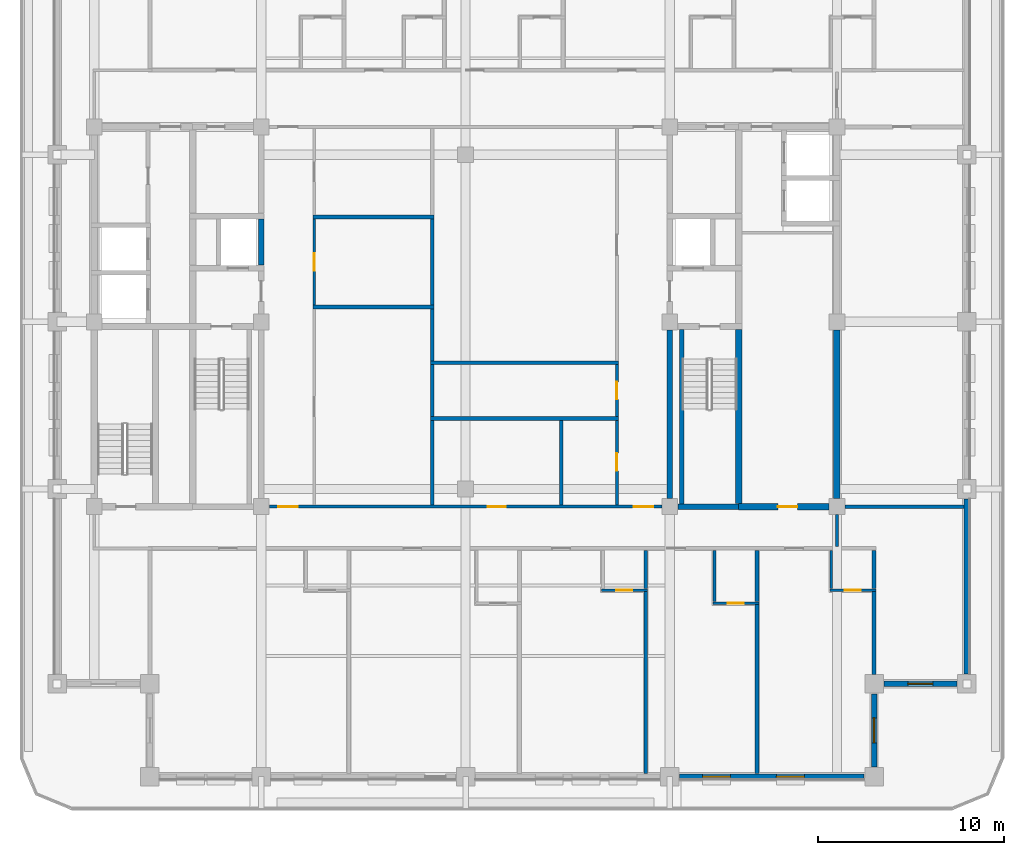
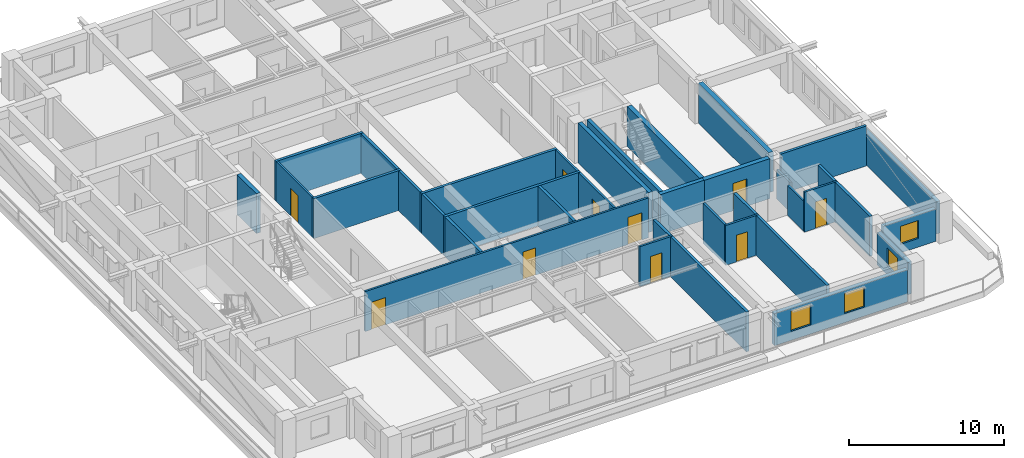
# One storey, part 4 of 14: 37 walls, 10 doors, 4 windows, 14 openings.
"""IFC4 building model written with IfcOpenShell, lengths in metres."""

from ifc_helpers import new_model, si_unit, direction, frame, frame_2d, origin, place, context, subcontext, project, spatial, rectangle, extrude, material, layer, layer_set, type_object, element, fill, save


model = new_model("IFC4")

# Units and contexts
model_context = context("Model", 3, precision=1e-05, world=origin(), true_north=direction((0.0, 1.0)))
body_context = subcontext(model_context, "Body", "Model", "MODEL_VIEW")
ifc_project = project(units=[si_unit("LENGTHUNIT", "METRE"), si_unit("AREAUNIT", "SQUARE_METRE"), si_unit("VOLUMEUNIT", "CUBIC_METRE"), si_unit("PLANEANGLEUNIT", "RADIAN"), si_unit("MASSUNIT", "GRAM", prefix="KILO")], contexts=[model_context])

# Site, building, storey
site_placement = place(None, origin())
site = spatial("IfcSite", under=ifc_project, at=site_placement, CompositionType="ELEMENT")
building_placement = place(site_placement, origin())
building = spatial("IfcBuilding", under=site, at=building_placement, Name="Zulmaris Gate Convention Tower", CompositionType="ELEMENT")
storey_placement = place(building_placement, frame((0.0, 0.0, 179.659912109375)))
storey = spatial("IfcBuildingStorey", under=building, at=storey_placement, Name="L46", CompositionType="ELEMENT", Elevation=179.659912109375)

# Walls
ifc_material_1 = material(Name="Concrete C50/60", Category="concrete")
ifc_layer_1 = layer(ifc_material_1, 0.25, Name="Concrete C50/60")
ifc_layer_set_1 = layer_set([ifc_layer_1], Name="Concrete C50/60")
wall_type_1 = type_object("IfcWallType", Name="CORE-250", PredefinedType="SOLIDWALL", material=ifc_layer_set_1)
wall_1_placement = place(storey_placement, frame((11.64990234375, -9.798095703125, 0.0), z_axis=(0.0, 0.0, 1.0), x_axis=(0.0, 1.0, 0.0)))
element("IfcWall", 1, at=wall_1_placement, inside=storey, type_object=wall_type_1, Name="WL-L46-064", PredefinedType="SOLIDWALL", context=body_context, shape_type="SweptSolid", body=[
    extrude(rectangle(XDim=9.39599609375, YDim=0.25, at=frame_2d((4.697998046875, 0.0))), origin(), (0.0, 0.0, 1.0), 3.14990234375),
])
ifc_layer_2 = layer(ifc_material_1, 0.300048828125, Name="Concrete C50/60")
ifc_layer_set_2 = layer_set([ifc_layer_2], Name="Concrete C50/60")
wall_type_2 = type_object("IfcWallType", Name="CORE-300", PredefinedType="SHEAR", material=ifc_layer_set_2)
wall_2_placement = place(storey_placement, frame((11.428955078125, -9.949951171875, 0.0), z_axis=(0.0, 0.0, 1.0), x_axis=(1.0, 0.0, 0.0)))
element("IfcWall", 2, at=wall_2_placement, inside=storey, type_object=wall_type_2, Name="WL-L46-003", PredefinedType="SHEAR", context=body_context, shape_type="SweptSolid", body=[
    extrude(rectangle(XDim=3.27099609375, YDim=0.300048828125, at=frame_2d((1.635498046875, 0.0))), origin(), (0.0, 0.0, 1.0), 3.14990234375),
])
wall_3_placement = place(storey_placement, frame((-11.0, 3.052001953125, 0.0), z_axis=(0.0, 0.0, 1.0), x_axis=(0.0, 1.0, 0.0)))
element("IfcWall", 3, at=wall_3_placement, inside=storey, type_object=wall_type_2, Name="WL-L46-058", PredefinedType="SHEAR", context=body_context, shape_type="SweptSolid", body=[
    extrude(rectangle(XDim=2.49609375, YDim=0.300048828125, at=frame_2d((1.248046875, 0.0))), origin(), (0.0, 0.0, 1.0), 3.14990234375),
])
wall_4_placement = place(storey_placement, frame((11.0, -9.52099609375, 0.0), z_axis=(0.0, 0.0, 1.0), x_axis=(0.0, 1.0, 0.0)))
element("IfcWall", 4, at=wall_4_placement, inside=storey, type_object=wall_type_2, Name="WL-L46-060", PredefinedType="SHEAR", context=body_context, shape_type="SweptSolid", body=[
    extrude(rectangle(XDim=9.092041015625, YDim=0.300048828125, at=frame_2d((4.5458984375, 0.0))), origin(), (0.0, 0.0, 1.0), 3.14990234375),
])

# Wall, opening, door
ifc_material_2 = material(Name="Concrete C55/67", Category="concrete")
ifc_layer_3 = layer(ifc_material_2, 0.35009765625, Name="Concrete C55/67")
ifc_layer_set_3 = layer_set([ifc_layer_3], Name="Concrete C55/67")
wall_type_3 = type_object("IfcWallType", Name="CORE-350", PredefinedType="SHEAR", material=ifc_layer_set_3)
wall_5_placement = place(storey_placement, frame((14.699951171875, -9.949951171875, 0.0), z_axis=(0.0, 0.0, 1.0), x_axis=(1.0, 0.0, 0.0)))
wall_5 = element("IfcWall", 5, at=wall_5_placement, inside=storey, type_object=wall_type_3, Name="WL-L46-004", PredefinedType="SHEAR", context=body_context, shape_type="SweptSolid", body=[
    extrude(rectangle(XDim=4.87109375, YDim=0.35009765625, at=frame_2d((2.435546875, 0.0))), origin(), (0.0, 0.0, 1.0), 3.14990234375),
])
opening_1_placement = place(wall_5_placement, frame((2.125, 0.0, 0.0)))
opening_1 = element("IfcOpeningElement", 6, at=opening_1_placement, cuts=wall_5, Name="Opening D-09", PredefinedType="OPENING", context=body_context, shape_type="SweptSolid", body=[
    extrude(rectangle(XDim=1.050048828125, YDim=2.14990234375, at=frame_2d((0.52490234375, 1.074951171875))), frame((0.0, 0.18505859375, 0.0), z_axis=(0.0, -1.0, 0.0), x_axis=(1.0, 0.0, 0.0)), (0.0, 0.0, 1.0), 0.3701171875),
])
ifc_material_3 = material(Name="Fire-Rated Steel", Category="steel")
door_type_1 = type_object("IfcDoorType", Name="DR-1050-FD", OperationType="NOTDEFINED", PredefinedType="DOOR", material=ifc_material_3)
door_1_placement = place(opening_1_placement, origin())
door_1 = element("IfcDoor", 7, at=door_1_placement, inside=storey, type_object=door_type_1, Name="L46 Housekeeping Hall Door 17", OperationType="SINGLE_SWING_RIGHT", OverallHeight=2.14990234375, OverallWidth=1.050048828125, PredefinedType="DOOR", context=body_context, shape_type="SweptSolid", body=[
    extrude(rectangle(XDim=1.050048828125, YDim=2.14990234375, at=frame_2d((0.52490234375, 1.074951171875))), frame((0.0, 0.02490234375, 0.0), z_axis=(0.0, -1.0, 0.0), x_axis=(1.0, 0.0, 0.0)), (0.0, 0.0, 1.0), 0.050048828125),
])
fill(opening_1, door_1)

# Walls
wall_6_placement = place(storey_placement, frame((14.699951171875, -9.77294921875, 0.0), z_axis=(0.0, 0.0, 1.0), x_axis=(0.0, 1.0, 0.0)))
element("IfcWall", 8, at=wall_6_placement, inside=storey, type_object=wall_type_3, Name="WL-L46-066", PredefinedType="SHEAR", context=body_context, shape_type="SweptSolid", body=[
    extrude(rectangle(XDim=9.370849609375, YDim=0.35009765625, at=frame_2d((4.685546875, 0.0))), origin(), (0.0, 0.0, 1.0), 3.14990234375),
])
wall_7_placement = place(storey_placement, frame((20.0, -9.52099609375, 0.0), z_axis=(0.0, 0.0, 1.0), x_axis=(0.0, 1.0, 0.0)))
element("IfcWall", 9, at=wall_7_placement, inside=storey, type_object=wall_type_3, Name="WL-L46-072", PredefinedType="SHEAR", context=body_context, shape_type="SweptSolid", body=[
    extrude(rectangle(XDim=9.092041015625, YDim=0.35009765625, at=frame_2d((4.5458984375, 0.0))), origin(), (0.0, 0.0, 1.0), 3.14990234375),
])

# Wall, opening, door
ifc_material_4 = material(Name="Gypsum Metal Stud Partition")
ifc_layer_4 = layer(ifc_material_4, 0.14990234375, Name="Gypsum Metal Stud Partition")
ifc_layer_set_4 = layer_set([ifc_layer_4], Name="Gypsum Metal Stud Partition")
wall_type_4 = type_object("IfcWallType", Name="PART-150", PredefinedType="PARTITIONING", material=ifc_layer_set_4)
wall_8_placement = place(storey_placement, frame((13.324951171875, -15.14990234375, 0.0), z_axis=(0.0, 0.0, 1.0), x_axis=(1.0, 0.0, 0.0)))
wall_8 = element("IfcWall", 10, at=wall_8_placement, inside=storey, type_object=wall_type_4, Name="WL-L46-020", PredefinedType="PARTITIONING", context=body_context, shape_type="SweptSolid", body=[
    extrude(rectangle(XDim=2.47509765625, YDim=0.14990234375, at=frame_2d((1.237548828125, 0.0))), origin(), (0.0, 0.0, 1.0), 3.14990234375),
])
opening_2_placement = place(wall_8_placement, frame((0.800048828125, 0.0, 0.0)))
opening_2 = element("IfcOpeningElement", 11, at=opening_2_placement, cuts=wall_8, Name="Opening D-17", PredefinedType="OPENING", context=body_context, shape_type="SweptSolid", body=[
    extrude(rectangle(XDim=0.85009765625, YDim=2.10009765625, at=frame_2d((0.425048828125, 1.050048828125))), frame((0.0, 0.0849609375, 0.0), z_axis=(0.0, -1.0, 0.0), x_axis=(1.0, 0.0, 0.0)), (0.0, 0.0, 1.0), 0.169921875),
])
ifc_material_5 = material(Name="Moisture-Resistant Hardwood Timber", Category="wood")
door_type_2 = type_object("IfcDoorType", Name="DR-850", OperationType="NOTDEFINED", PredefinedType="DOOR", material=ifc_material_5)
door_2_placement = place(opening_2_placement, origin())
door_2 = element("IfcDoor", 12, at=door_2_placement, inside=storey, type_object=door_type_2, Name="L46 En-Suite Door 39", OperationType="SINGLE_SWING_RIGHT", OverallHeight=2.10009765625, OverallWidth=0.85009765625, PredefinedType="DOOR", context=body_context, shape_type="SweptSolid", body=[
    extrude(rectangle(XDim=0.85009765625, YDim=2.10009765625, at=frame_2d((0.425048828125, 1.050048828125))), frame((0.0, 0.02490234375, 0.0), z_axis=(0.0, -1.0, 0.0), x_axis=(1.0, 0.0, 0.0)), (0.0, 0.0, 1.0), 0.050048828125),
])
fill(opening_2, door_2)

wall_9_placement = place(storey_placement, frame((7.324951171875, -14.449951171875, 0.0), z_axis=(0.0, 0.0, 1.0), x_axis=(1.0, 0.0, 0.0)))
wall_9 = element("IfcWall", 13, at=wall_9_placement, inside=storey, type_object=wall_type_4, Name="WL-L46-022", PredefinedType="PARTITIONING", context=body_context, shape_type="SweptSolid", body=[
    extrude(rectangle(XDim=2.47509765625, YDim=0.14990234375, at=frame_2d((1.237548828125, 0.0))), origin(), (0.0, 0.0, 1.0), 3.14990234375),
])
opening_3_placement = place(wall_9_placement, frame((0.800048828125, 0.0, 0.0)))
opening_3 = element("IfcOpeningElement", 14, at=opening_3_placement, cuts=wall_9, Name="Opening D-17", PredefinedType="OPENING", context=body_context, shape_type="SweptSolid", body=[
    extrude(rectangle(XDim=0.85009765625, YDim=2.10009765625, at=frame_2d((0.425048828125, 1.050048828125))), frame((0.0, 0.0849609375, 0.0), z_axis=(0.0, -1.0, 0.0), x_axis=(1.0, 0.0, 0.0)), (0.0, 0.0, 1.0), 0.169921875),
])
door_3_placement = place(opening_3_placement, origin())
door_3 = element("IfcDoor", 15, at=door_3_placement, inside=storey, type_object=door_type_2, Name="L46 En-Suite Door 37", OperationType="SINGLE_SWING_RIGHT", OverallHeight=2.10009765625, OverallWidth=0.85009765625, PredefinedType="DOOR", context=body_context, shape_type="SweptSolid", body=[
    extrude(rectangle(XDim=0.85009765625, YDim=2.10009765625, at=frame_2d((0.425048828125, 1.050048828125))), frame((0.0, 0.02490234375, 0.0), z_axis=(0.0, -1.0, 0.0), x_axis=(1.0, 0.0, 0.0)), (0.0, 0.0, 1.0), 0.050048828125),
])
fill(opening_3, door_3)

wall_10_placement = place(storey_placement, frame((19.625, -14.449951171875, 0.0), z_axis=(0.0, 0.0, 1.0), x_axis=(1.0, 0.0, 0.0)))
wall_10 = element("IfcWall", 16, at=wall_10_placement, inside=storey, type_object=wall_type_4, Name="WL-L46-023", PredefinedType="PARTITIONING", context=body_context, shape_type="SweptSolid", body=[
    extrude(rectangle(XDim=2.47509765625, YDim=0.14990234375, at=frame_2d((1.237548828125, 0.0))), origin(), (0.0, 0.0, 1.0), 3.14990234375),
])
opening_4_placement = place(wall_10_placement, frame((0.800048828125, 0.0, 0.0)))
opening_4 = element("IfcOpeningElement", 17, at=opening_4_placement, cuts=wall_10, Name="Opening D-17", PredefinedType="OPENING", context=body_context, shape_type="SweptSolid", body=[
    extrude(rectangle(XDim=0.85009765625, YDim=2.10009765625, at=frame_2d((0.425048828125, 1.050048828125))), frame((0.0, 0.0849609375, 0.0), z_axis=(0.0, -1.0, 0.0), x_axis=(1.0, 0.0, 0.0)), (0.0, 0.0, 1.0), 0.169921875),
])
door_4_placement = place(opening_4_placement, origin())
door_4 = element("IfcDoor", 18, at=door_4_placement, inside=storey, type_object=door_type_2, Name="L46 En-Suite Door 41", OperationType="SINGLE_SWING_RIGHT", OverallHeight=2.10009765625, OverallWidth=0.85009765625, PredefinedType="DOOR", context=body_context, shape_type="SweptSolid", body=[
    extrude(rectangle(XDim=0.85009765625, YDim=2.10009765625, at=frame_2d((0.425048828125, 1.050048828125))), frame((0.0, 0.02490234375, 0.0), z_axis=(0.0, -1.0, 0.0), x_axis=(1.0, 0.0, 0.0)), (0.0, 0.0, 1.0), 0.050048828125),
])
fill(opening_4, door_4)

# Wall, openings, doors
wall_11_placement = place(storey_placement, frame((-10.569091796875, -9.949951171875, 0.0), z_axis=(0.0, 0.0, 1.0), x_axis=(1.0, 0.0, 0.0)))
wall_11 = element("IfcWall", 19, at=wall_11_placement, inside=storey, type_object=wall_type_4, Name="WL-L46-026", PredefinedType="PARTITIONING", context=body_context, shape_type="SweptSolid", body=[
    extrude(rectangle(XDim=21.13818359375, YDim=0.14990234375, at=frame_2d((10.569091796875, 0.0))), origin(), (0.0, 0.0, 1.0), 3.14990234375),
])
opening_5_placement = place(wall_11_placement, frame((0.47412109375, 0.0, 0.0)))
opening_5 = element("IfcOpeningElement", 20, at=opening_5_placement, cuts=wall_11, Name="Opening D-09", PredefinedType="OPENING", context=body_context, shape_type="SweptSolid", body=[
    extrude(rectangle(XDim=1.050048828125, YDim=2.14990234375, at=frame_2d((0.52490234375, 1.074951171875))), frame((0.0, 0.0849609375, 0.0), z_axis=(0.0, -1.0, 0.0), x_axis=(1.0, 0.0, 0.0)), (0.0, 0.0, 1.0), 0.169921875),
])
opening_6_placement = place(wall_11_placement, frame((19.614013671875, 0.0, 0.0)))
opening_6 = element("IfcOpeningElement", 21, at=opening_6_placement, cuts=wall_11, Name="Opening D-09", PredefinedType="OPENING", context=body_context, shape_type="SweptSolid", body=[
    extrude(rectangle(XDim=1.050048828125, YDim=2.14990234375, at=frame_2d((0.52490234375, 1.074951171875))), frame((0.0, 0.0849609375, 0.0), z_axis=(0.0, -1.0, 0.0), x_axis=(1.0, 0.0, 0.0)), (0.0, 0.0, 1.0), 0.169921875),
])
opening_7_placement = place(wall_11_placement, frame((11.77392578125, 0.0, 0.0)))
opening_7 = element("IfcOpeningElement", 22, at=opening_7_placement, cuts=wall_11, Name="Opening D-11", PredefinedType="OPENING", context=body_context, shape_type="SweptSolid", body=[
    extrude(rectangle(XDim=0.949951171875, YDim=2.14990234375, at=frame_2d((0.47509765625, 1.074951171875))), frame((0.0, 0.0849609375, 0.0), z_axis=(0.0, -1.0, 0.0), x_axis=(1.0, 0.0, 0.0)), (0.0, 0.0, 1.0), 0.169921875),
])
door_5_placement = place(opening_5_placement, origin())
door_5 = element("IfcDoor", 23, at=door_5_placement, inside=storey, type_object=door_type_1, Name="L46 SW Hotel Loop Door 19", OperationType="SINGLE_SWING_RIGHT", OverallHeight=2.14990234375, OverallWidth=1.050048828125, PredefinedType="DOOR", context=body_context, shape_type="SweptSolid", body=[
    extrude(rectangle(XDim=1.050048828125, YDim=2.14990234375, at=frame_2d((0.52490234375, 1.074951171875))), frame((0.0, 0.02490234375, 0.0), z_axis=(0.0, -1.0, 0.0), x_axis=(1.0, 0.0, 0.0)), (0.0, 0.0, 1.0), 0.050048828125),
])
fill(opening_5, door_5)
door_6_placement = place(opening_6_placement, origin())
door_6 = element("IfcDoor", 24, at=door_6_placement, inside=storey, type_object=door_type_1, Name="L46 SE Hotel Loop Door 21", OperationType="SINGLE_SWING_RIGHT", OverallHeight=2.14990234375, OverallWidth=1.050048828125, PredefinedType="DOOR", context=body_context, shape_type="SweptSolid", body=[
    extrude(rectangle(XDim=1.050048828125, YDim=2.14990234375, at=frame_2d((0.52490234375, 1.074951171875))), frame((0.0, 0.02490234375, 0.0), z_axis=(0.0, -1.0, 0.0), x_axis=(1.0, 0.0, 0.0)), (0.0, 0.0, 1.0), 0.050048828125),
])
fill(opening_6, door_6)
ifc_material_6 = material(Name="Fire-Rated Timber", Category="wood")
door_type_3 = type_object("IfcDoorType", Name="DR-950-FD", OperationType="NOTDEFINED", PredefinedType="DOOR", material=ifc_material_6)
door_7_placement = place(opening_7_placement, origin())
door_7 = element("IfcDoor", 25, at=door_7_placement, inside=storey, type_object=door_type_3, Name="L46 Staging Store Door 48", OperationType="SINGLE_SWING_LEFT", OverallHeight=2.14990234375, OverallWidth=0.949951171875, PredefinedType="DOOR", context=body_context, shape_type="SweptSolid", body=[
    extrude(rectangle(XDim=0.949951171875, YDim=2.14990234375, at=frame_2d((0.47509765625, 1.074951171875))), frame((0.0, 0.02490234375, 0.0), z_axis=(0.0, -1.0, 0.0), x_axis=(1.0, 0.0, 0.0)), (0.0, 0.0, 1.0), 0.050048828125),
])
fill(opening_7, door_7)

# Wall, opening, door
wall_12_placement = place(storey_placement, frame((-8.14990234375, 0.903076171875, 0.0), z_axis=(0.0, 0.0, 1.0), x_axis=(0.0, 1.0, 0.0)))
wall_12 = element("IfcWall", 26, at=wall_12_placement, inside=storey, type_object=wall_type_4, Name="WL-L46-083", PredefinedType="PARTITIONING", context=body_context, shape_type="SweptSolid", body=[
    extrude(rectangle(XDim=4.64404296875, YDim=0.14990234375, at=frame_2d((2.322021484375, 0.0))), origin(), (0.0, 0.0, 1.0), 3.14990234375),
])
opening_8_placement = place(wall_12_placement, frame((1.85205078125, 0.0, 0.0)))
opening_8 = element("IfcOpeningElement", 27, at=opening_8_placement, cuts=wall_12, Name="Opening D-11", PredefinedType="OPENING", context=body_context, shape_type="SweptSolid", body=[
    extrude(rectangle(XDim=0.949951171875, YDim=2.14990234375, at=frame_2d((0.47509765625, 1.074951171875))), frame((0.0, 0.0849609375, 0.0), z_axis=(0.0, -1.0, 0.0), x_axis=(1.0, 0.0, 0.0)), (0.0, 0.0, 1.0), 0.169921875),
])
door_8_placement = place(opening_8_placement, origin())
door_8 = element("IfcDoor", 28, at=door_8_placement, inside=storey, type_object=door_type_3, Name="L46 Tea Salon Door 43", OperationType="SINGLE_SWING_RIGHT", OverallHeight=2.14990234375, OverallWidth=0.949951171875, PredefinedType="DOOR", context=body_context, shape_type="SweptSolid", body=[
    extrude(rectangle(XDim=0.949951171875, YDim=2.14990234375, at=frame_2d((0.47509765625, 1.074951171875))), frame((0.0, 0.02490234375, 0.0), z_axis=(0.0, -1.0, 0.0), x_axis=(1.0, 0.0, 0.0)), (0.0, 0.0, 1.0), 0.050048828125),
])
fill(opening_8, door_8)

wall_13_placement = place(storey_placement, frame((8.14990234375, -9.8720703125, 0.0), z_axis=(0.0, 0.0, 1.0), x_axis=(0.0, 1.0, 0.0)))
wall_13 = element("IfcWall", 29, at=wall_13_placement, inside=storey, type_object=wall_type_4, Name="WL-L46-105", PredefinedType="PARTITIONING", context=body_context, shape_type="SweptSolid", body=[
    extrude(rectangle(XDim=4.569091796875, YDim=0.14990234375, at=frame_2d((2.28466796875, 0.0))), origin(), (0.0, 0.0, 1.0), 3.14990234375),
])
opening_9_placement = place(wall_13_placement, frame((1.846923828125, 0.0, 0.0)))
opening_9 = element("IfcOpeningElement", 30, at=opening_9_placement, cuts=wall_13, Name="Opening D-11", PredefinedType="OPENING", context=body_context, shape_type="SweptSolid", body=[
    extrude(rectangle(XDim=0.949951171875, YDim=2.14990234375, at=frame_2d((0.47509765625, 1.074951171875))), frame((0.0, 0.0849609375, 0.0), z_axis=(0.0, -1.0, 0.0), x_axis=(1.0, 0.0, 0.0)), (0.0, 0.0, 1.0), 0.169921875),
])
door_9_placement = place(opening_9_placement, origin())
door_9 = element("IfcDoor", 31, at=door_9_placement, inside=storey, type_object=door_type_3, Name="L46 Accessible WC Door 47", OperationType="SINGLE_SWING_RIGHT", OverallHeight=2.14990234375, OverallWidth=0.949951171875, PredefinedType="DOOR", context=body_context, shape_type="SweptSolid", body=[
    extrude(rectangle(XDim=0.949951171875, YDim=2.14990234375, at=frame_2d((0.47509765625, 1.074951171875))), frame((0.0, 0.02490234375, 0.0), z_axis=(0.0, -1.0, 0.0), x_axis=(1.0, 0.0, 0.0)), (0.0, 0.0, 1.0), 0.050048828125),
])
fill(opening_9, door_9)

wall_14_placement = place(storey_placement, frame((8.14990234375, -5.096923828125, 0.0), z_axis=(0.0, 0.0, 1.0), x_axis=(0.0, 1.0, 0.0)))
wall_14 = element("IfcWall", 32, at=wall_14_placement, inside=storey, type_object=wall_type_4, Name="WL-L46-106", PredefinedType="PARTITIONING", context=body_context, shape_type="SweptSolid", body=[
    extrude(rectangle(XDim=2.7939453125, YDim=0.14990234375, at=frame_2d((1.39697265625, 0.0))), origin(), (0.0, 0.0, 1.0), 3.14990234375),
])
opening_10_placement = place(wall_14_placement, frame((0.922119140625, 0.0, 0.0)))
opening_10 = element("IfcOpeningElement", 33, at=opening_10_placement, cuts=wall_14, Name="Opening D-11", PredefinedType="OPENING", context=body_context, shape_type="SweptSolid", body=[
    extrude(rectangle(XDim=0.949951171875, YDim=2.14990234375, at=frame_2d((0.47509765625, 1.074951171875))), frame((0.0, 0.0849609375, 0.0), z_axis=(0.0, -1.0, 0.0), x_axis=(1.0, 0.0, 0.0)), (0.0, 0.0, 1.0), 0.169921875),
])
door_10_placement = place(opening_10_placement, origin())
door_10 = element("IfcDoor", 34, at=door_10_placement, inside=storey, type_object=door_type_3, Name="L46 Public WC Door 46", OperationType="SINGLE_SWING_LEFT", OverallHeight=2.14990234375, OverallWidth=0.949951171875, PredefinedType="DOOR", context=body_context, shape_type="SweptSolid", body=[
    extrude(rectangle(XDim=0.949951171875, YDim=2.14990234375, at=frame_2d((0.47509765625, 1.074951171875))), frame((0.0, 0.02490234375, 0.0), z_axis=(0.0, -1.0, 0.0), x_axis=(1.0, 0.0, 0.0)), (0.0, 0.0, 1.0), 0.050048828125),
])
fill(opening_10, door_10)

# Walls
wall_15_placement = place(storey_placement, frame((13.39990234375, -15.072021484375, 0.0), z_axis=(0.0, 0.0, 1.0), x_axis=(0.0, 1.0, 0.0)))
element("IfcWall", 35, at=wall_15_placement, inside=storey, type_object=wall_type_4, Name="WL-L46-111", PredefinedType="PARTITIONING", context=body_context, shape_type="SweptSolid", body=[
    extrude(rectangle(XDim=2.76904296875, YDim=0.14990234375, at=frame_2d((1.384521484375, 0.0))), origin(), (0.0, 0.0, 1.0), 3.14990234375),
])
wall_16_placement = place(storey_placement, frame((19.699951171875, -14.3720703125, 0.0), z_axis=(0.0, 0.0, 1.0), x_axis=(0.0, 1.0, 0.0)))
element("IfcWall", 36, at=wall_16_placement, inside=storey, type_object=wall_type_4, Name="WL-L46-116", PredefinedType="PARTITIONING", context=body_context, shape_type="SweptSolid", body=[
    extrude(rectangle(XDim=2.069091796875, YDim=0.14990234375, at=frame_2d((1.03466796875, 0.0))), origin(), (0.0, 0.0, 1.0), 2.341796875),
])
wall_17_placement = place(storey_placement, frame((20.0, -12.096923828125, 0.0), z_axis=(0.0, 0.0, 1.0), x_axis=(0.0, 1.0, 0.0)))
element("IfcWall", 37, at=wall_17_placement, inside=storey, type_object=wall_type_4, Name="WL-L46-118", PredefinedType="PARTITIONING", context=body_context, shape_type="SweptSolid", body=[
    extrude(rectangle(XDim=1.7158203125, YDim=0.14990234375, at=frame_2d((0.85791015625, 0.0))), origin(), (0.0, 0.0, 1.0), 2.341796875),
])
ifc_material_7 = material(Name="Autoclaved Aerated Concrete Block and Plasterboard", Category="concrete")
ifc_layer_5 = layer(ifc_material_7, 0.199951171875, Name="Autoclaved Aerated Concrete Block and Plasterboard")
ifc_layer_set_5 = layer_set([ifc_layer_5], Name="Autoclaved Aerated Concrete Block and Plasterboard")
wall_type_5 = type_object("IfcWallType", Name="PART-200", PredefinedType="PARTITIONING", material=ifc_layer_set_5)
wall_18_placement = place(storey_placement, frame((20.430908203125, -9.949951171875, 0.0), z_axis=(0.0, 0.0, 1.0), x_axis=(1.0, 0.0, 0.0)))
element("IfcWall", 38, at=wall_18_placement, inside=storey, type_object=wall_type_5, Name="WL-L46-027", PredefinedType="PARTITIONING", context=body_context, shape_type="SweptSolid", body=[
    extrude(rectangle(XDim=6.404052734375, YDim=0.199951171875, at=frame_2d((3.2021484375, 0.0))), origin(), (0.0, 0.0, 1.0), 3.14990234375),
])
for number, where, z_axis, x_axis, name in (
    (39, (-1.89990234375, -5.199951171875, 0.0), (0.0, 0.0, 1.0), (1.0, 0.0, 0.0), "WL-L46-028"),
    (40, (-1.89990234375, -2.199951171875, 0.0), (0.0, 0.0, 1.0), (1.0, 0.0, 0.0), "WL-L46-029"),
):
    element("IfcWall", number, at=place(storey_placement, frame(where, z_axis=z_axis, x_axis=x_axis)), inside=storey, type_object=wall_type_5, Name=name, PredefinedType="PARTITIONING", context=body_context, shape_type="SweptSolid", body=[
        extrude(rectangle(XDim=10.125, YDim=0.199951171875, at=frame_2d((5.0625, 0.0))), origin(), (0.0, 0.0, 1.0), 3.14990234375),
    ])
for number, where, z_axis, x_axis, name in (
    (41, (-8.22509765625, 0.800048828125, 0.0), (0.0, 0.0, 1.0), (1.0, 0.0, 0.0), "WL-L46-030"),
    (42, (-8.22509765625, 5.64990234375, 0.0), (0.0, 0.0, 1.0), (1.0, 0.0, 0.0), "WL-L46-032"),
):
    element("IfcWall", number, at=place(storey_placement, frame(where, z_axis=z_axis, x_axis=x_axis)), inside=storey, type_object=wall_type_5, Name=name, PredefinedType="PARTITIONING", context=body_context, shape_type="SweptSolid", body=[
        extrude(rectangle(XDim=6.525146484375, YDim=0.199951171875, at=frame_2d((3.2626953125, 0.0))), origin(), (0.0, 0.0, 1.0), 3.14990234375),
    ])
wall_19_placement = place(storey_placement, frame((-1.800048828125, -9.8720703125, 0.0), z_axis=(0.0, 0.0, 1.0), x_axis=(0.0, 1.0, 0.0)))
element("IfcWall", 43, at=wall_19_placement, inside=storey, type_object=wall_type_5, Name="WL-L46-090", PredefinedType="PARTITIONING", context=body_context, shape_type="SweptSolid", body=[
    extrude(rectangle(XDim=4.569091796875, YDim=0.199951171875, at=frame_2d((2.28466796875, 0.0))), origin(), (0.0, 0.0, 1.0), 3.14990234375),
])
for number, where, z_axis, x_axis, name in (
    (44, (-1.800048828125, -5.096923828125, 0.0), (0.0, 0.0, 1.0), (0.0, 1.0, 0.0), "WL-L46-091"),
    (45, (-1.800048828125, -2.096923828125, 0.0), (0.0, 0.0, 1.0), (0.0, 1.0, 0.0), "WL-L46-092"),
):
    element("IfcWall", number, at=place(storey_placement, frame(where, z_axis=z_axis, x_axis=x_axis)), inside=storey, type_object=wall_type_5, Name=name, PredefinedType="PARTITIONING", context=body_context, shape_type="SweptSolid", body=[
        extrude(rectangle(XDim=2.7939453125, YDim=0.199951171875, at=frame_2d((1.39697265625, 0.0))), origin(), (0.0, 0.0, 1.0), 3.14990234375),
    ])
wall_20_placement = place(storey_placement, frame((-1.800048828125, 0.903076171875, 0.0), z_axis=(0.0, 0.0, 1.0), x_axis=(0.0, 1.0, 0.0)))
element("IfcWall", 46, at=wall_20_placement, inside=storey, type_object=wall_type_5, Name="WL-L46-093", PredefinedType="PARTITIONING", context=body_context, shape_type="SweptSolid", body=[
    extrude(rectangle(XDim=4.64404296875, YDim=0.199951171875, at=frame_2d((2.322021484375, 0.0))), origin(), (0.0, 0.0, 1.0), 3.14990234375),
])
wall_21_placement = place(storey_placement, frame((5.14990234375, -9.8720703125, 0.0), z_axis=(0.0, 0.0, 1.0), x_axis=(0.0, 1.0, 0.0)))
element("IfcWall", 47, at=wall_21_placement, inside=storey, type_object=wall_type_5, Name="WL-L46-101", PredefinedType="PARTITIONING", context=body_context, shape_type="SweptSolid", body=[
    extrude(rectangle(XDim=4.569091796875, YDim=0.199951171875, at=frame_2d((2.28466796875, 0.0))), origin(), (0.0, 0.0, 1.0), 3.14990234375),
])
wall_22_placement = place(storey_placement, frame((9.699951171875, -24.3349609375, 0.0), z_axis=(0.0, 0.0, 1.0), x_axis=(0.0, 1.0, 0.0)))
element("IfcWall", 48, at=wall_22_placement, inside=storey, type_object=wall_type_5, Name="WL-L46-108", PredefinedType="PARTITIONING", context=body_context, shape_type="SweptSolid", body=[
    extrude(rectangle(XDim=9.806884765625, YDim=0.199951171875, at=frame_2d((4.9033203125, 0.0))), origin(), (0.0, 0.0, 1.0), 3.14990234375),
])
wall_23_placement = place(storey_placement, frame((9.699951171875, -14.3720703125, 0.0), z_axis=(0.0, 0.0, 1.0), x_axis=(0.0, 1.0, 0.0)))
element("IfcWall", 49, at=wall_23_placement, inside=storey, type_object=wall_type_5, Name="WL-L46-109", PredefinedType="PARTITIONING", context=body_context, shape_type="SweptSolid", body=[
    extrude(rectangle(XDim=2.069091796875, YDim=0.199951171875, at=frame_2d((1.03466796875, 0.0))), origin(), (0.0, 0.0, 1.0), 3.14990234375),
])
wall_24_placement = place(storey_placement, frame((15.699951171875, -24.3349609375, 0.0), z_axis=(0.0, 0.0, 1.0), x_axis=(0.0, 1.0, 0.0)))
element("IfcWall", 50, at=wall_24_placement, inside=storey, type_object=wall_type_5, Name="WL-L46-114", PredefinedType="PARTITIONING", context=body_context, shape_type="SweptSolid", body=[
    extrude(rectangle(XDim=9.10693359375, YDim=0.199951171875, at=frame_2d((4.553466796875, 0.0))), origin(), (0.0, 0.0, 1.0), 3.14990234375),
])
wall_25_placement = place(storey_placement, frame((15.699951171875, -15.072021484375, 0.0), z_axis=(0.0, 0.0, 1.0), x_axis=(0.0, 1.0, 0.0)))
element("IfcWall", 51, at=wall_25_placement, inside=storey, type_object=wall_type_5, Name="WL-L46-115", PredefinedType="PARTITIONING", context=body_context, shape_type="SweptSolid", body=[
    extrude(rectangle(XDim=2.76904296875, YDim=0.199951171875, at=frame_2d((1.384521484375, 0.0))), origin(), (0.0, 0.0, 1.0), 3.14990234375),
])
wall_26_placement = place(storey_placement, frame((22.0, -18.993896484375, 0.0), z_axis=(0.0, 0.0, 1.0), x_axis=(0.0, 1.0, 0.0)))
element("IfcWall", 52, at=wall_26_placement, inside=storey, type_object=wall_type_5, Name="WL-L46-120", PredefinedType="PARTITIONING", context=body_context, shape_type="SweptSolid", body=[
    extrude(rectangle(XDim=4.4658203125, YDim=0.199951171875, at=frame_2d((2.23291015625, 0.0))), origin(), (0.0, 0.0, 1.0), 3.14990234375),
])
wall_27_placement = place(storey_placement, frame((22.0, -14.3720703125, 0.0), z_axis=(0.0, 0.0, 1.0), x_axis=(0.0, 1.0, 0.0)))
element("IfcWall", 53, at=wall_27_placement, inside=storey, type_object=wall_type_5, Name="WL-L46-121", PredefinedType="PARTITIONING", context=body_context, shape_type="SweptSolid", body=[
    extrude(rectangle(XDim=2.069091796875, YDim=0.199951171875, at=frame_2d((1.03466796875, 0.0))), origin(), (0.0, 0.0, 1.0), 3.14990234375),
])

# Wall, opening, window
ifc_material_8 = material(Name="Precast concrete C40/50", Category="concrete")
ifc_layer_6 = layer(ifc_material_8, 0.300048828125, Name="Precast concrete C40/50")
ifc_layer_set_6 = layer_set([ifc_layer_6], Name="Precast concrete C40/50")
wall_type_6 = type_object("IfcWallType", Name="PRECAST-PIER-300", PredefinedType="STANDARD", material=ifc_layer_set_6)
wall_28_placement = place(storey_placement, frame((22.0, -23.969970703125, 0.0), z_axis=(0.0, 0.0, 1.0), x_axis=(0.0, 1.0, 0.0)))
wall_28 = element("IfcWall", 54, at=wall_28_placement, inside=storey, type_object=wall_type_6, Name="EW-L46-NOTCH-SE1_0", PredefinedType="STANDARD", context=body_context, shape_type="SweptSolid", body=[
    extrude(rectangle(XDim=3.93994140625, YDim=0.300048828125, at=frame_2d((1.969970703125, 0.0))), origin(), (0.0, 0.0, 1.0), 2.5419921875),
])
opening_11_placement = place(wall_28_placement, frame((1.294921875, 0.0, 0.679931640625)))
opening_11 = element("IfcOpeningElement", 55, at=opening_11_placement, cuts=wall_28, Name="Opening W-10", PredefinedType="OPENING", context=body_context, shape_type="SweptSolid", body=[
    extrude(rectangle(XDim=1.35009765625, YDim=1.419921875, at=frame_2d((0.675048828125, 0.7099609375))), frame((0.0, 0.16015625, 0.0), z_axis=(0.0, -1.0, 0.0), x_axis=(1.0, 0.0, 0.0)), (0.0, 0.0, 1.0), 0.320068359375),
])
ifc_material_9 = material(Name="Low-E Laminated Double Glazing in Aluminium Frame", Category="aluminium")
window_type_1 = type_object("IfcWindowType", Name="WIN-1350x2000", PartitioningType="SINGLE_PANEL", PredefinedType="WINDOW", material=ifc_material_9)
window_1_placement = place(opening_11_placement, origin())
window_1 = element("IfcWindow", 56, at=window_1_placement, inside=storey, type_object=window_type_1, Name="WN-EW-L46-NOTCH-SE1_0", OverallHeight=1.419921875, OverallWidth=1.35009765625, PartitioningType="SINGLE_PANEL", PredefinedType="WINDOW", context=body_context, shape_type="SweptSolid", body=[
    extrude(rectangle(XDim=1.35009765625, YDim=1.419921875, at=frame_2d((0.675048828125, 0.7099609375))), frame((0.0, 0.030029296875, 0.0), z_axis=(0.0, -1.0, 0.0), x_axis=(1.0, 0.0, 0.0)), (0.0, 0.0, 1.0), 0.06005859375),
])
fill(opening_11, window_1)

wall_29_placement = place(storey_placement, frame((22.530029296875, -19.5, 0.0), z_axis=(0.0, 0.0, 1.0), x_axis=(1.0, 0.0, 0.0)))
wall_29 = element("IfcWall", 57, at=wall_29_placement, inside=storey, type_object=wall_type_6, Name="EW-L46-NOTCH-SE2_0", PredefinedType="STANDARD", context=body_context, shape_type="SweptSolid", body=[
    extrude(rectangle(XDim=3.93994140625, YDim=0.300048828125, at=frame_2d((1.969970703125, 0.0))), origin(), (0.0, 0.0, 1.0), 2.5419921875),
])
opening_12_placement = place(wall_29_placement, frame((1.294921875, 0.0, 0.679931640625)))
opening_12 = element("IfcOpeningElement", 58, at=opening_12_placement, cuts=wall_29, Name="Opening W-10", PredefinedType="OPENING", context=body_context, shape_type="SweptSolid", body=[
    extrude(rectangle(XDim=1.35009765625, YDim=1.419921875, at=frame_2d((0.675048828125, 0.7099609375))), frame((0.0, 0.16015625, 0.0), z_axis=(0.0, -1.0, 0.0), x_axis=(1.0, 0.0, 0.0)), (0.0, 0.0, 1.0), 0.320068359375),
])
window_2_placement = place(opening_12_placement, origin())
window_2 = element("IfcWindow", 59, at=window_2_placement, inside=storey, type_object=window_type_1, Name="WN-EW-L46-NOTCH-SE2_0", OverallHeight=1.419921875, OverallWidth=1.35009765625, PartitioningType="SINGLE_PANEL", PredefinedType="WINDOW", context=body_context, shape_type="SweptSolid", body=[
    extrude(rectangle(XDim=1.35009765625, YDim=1.419921875, at=frame_2d((0.675048828125, 0.7099609375))), frame((0.0, 0.030029296875, 0.0), z_axis=(0.0, -1.0, 0.0), x_axis=(1.0, 0.0, 0.0)), (0.0, 0.0, 1.0), 0.06005859375),
])
fill(opening_12, window_2)

# Wall, openings, windows
wall_30_placement = place(storey_placement, frame((11.530029296875, -24.5, 0.0), z_axis=(0.0, 0.0, 1.0), x_axis=(1.0, 0.0, 0.0)))
wall_30 = element("IfcWall", 60, at=wall_30_placement, inside=storey, type_object=wall_type_6, Name="EW-L46-S-3_0", PredefinedType="STANDARD", context=body_context, shape_type="SweptSolid", body=[
    extrude(rectangle(XDim=9.93994140625, YDim=0.300048828125, at=frame_2d((4.969970703125, 0.0))), origin(), (0.0, 0.0, 1.0), 2.5419921875),
])
opening_13_placement = place(wall_30_placement, frame((1.238037109375, 0.0, 0.719970703125)))
opening_13 = element("IfcOpeningElement", 61, at=opening_13_placement, cuts=wall_30, Name="Opening W-03", PredefinedType="OPENING", context=body_context, shape_type="SweptSolid", body=[
    extrude(rectangle(XDim=1.5, YDim=1.60009765625, at=frame_2d((0.75, 0.800048828125))), frame((0.0, 0.16015625, 0.0), z_axis=(0.0, -1.0, 0.0), x_axis=(1.0, 0.0, 0.0)), (0.0, 0.0, 1.0), 0.320068359375),
])
opening_14_placement = place(wall_30_placement, frame((5.214111328125, 0.0, 0.719970703125)))
opening_14 = element("IfcOpeningElement", 62, at=opening_14_placement, cuts=wall_30, Name="Opening W-03", PredefinedType="OPENING", context=body_context, shape_type="SweptSolid", body=[
    extrude(rectangle(XDim=1.5, YDim=1.60009765625, at=frame_2d((0.75, 0.800048828125))), frame((0.0, 0.16015625, 0.0), z_axis=(0.0, -1.0, 0.0), x_axis=(1.0, 0.0, 0.0)), (0.0, 0.0, 1.0), 0.320068359375),
])
window_type_2 = type_object("IfcWindowType", Name="WIN-1500x2100", PartitioningType="SINGLE_PANEL", PredefinedType="WINDOW", material=ifc_material_9)
window_3_placement = place(opening_13_placement, origin())
window_3 = element("IfcWindow", 63, at=window_3_placement, inside=storey, type_object=window_type_2, Name="WN-EW-L46-S-3_0-1", OverallHeight=1.60009765625, OverallWidth=1.5, PartitioningType="SINGLE_PANEL", PredefinedType="WINDOW", context=body_context, shape_type="SweptSolid", body=[
    extrude(rectangle(XDim=1.5, YDim=1.60009765625, at=frame_2d((0.75, 0.800048828125))), frame((0.0, 0.030029296875, 0.0), z_axis=(0.0, -1.0, 0.0), x_axis=(1.0, 0.0, 0.0)), (0.0, 0.0, 1.0), 0.06005859375),
])
fill(opening_13, window_3)
window_4_placement = place(opening_14_placement, origin())
window_4 = element("IfcWindow", 64, at=window_4_placement, inside=storey, type_object=window_type_2, Name="WN-EW-L46-S-3_0-3", OverallHeight=1.60009765625, OverallWidth=1.5, PartitioningType="SINGLE_PANEL", PredefinedType="WINDOW", context=body_context, shape_type="SweptSolid", body=[
    extrude(rectangle(XDim=1.5, YDim=1.60009765625, at=frame_2d((0.75, 0.800048828125))), frame((0.0, 0.030029296875, 0.0), z_axis=(0.0, -1.0, 0.0), x_axis=(1.0, 0.0, 0.0)), (0.0, 0.0, 1.0), 0.06005859375),
])
fill(opening_14, window_4)

# Wall
wall_31_placement = place(storey_placement, frame((27.0, -18.969970703125, 0.0), z_axis=(0.0, 0.0, 1.0), x_axis=(0.0, 1.0, 0.0)))
element("IfcWall", 65, at=wall_31_placement, inside=storey, type_object=wall_type_6, Name="EW-L46-E-0_0", PredefinedType="STANDARD", context=body_context, shape_type="SweptSolid", body=[
    extrude(rectangle(XDim=9.43994140625, YDim=0.300048828125, at=frame_2d((4.719970703125, 0.0))), origin(), (0.0, 0.0, 1.0), 2.5419921875),
])

save(model, "model.ifc")
